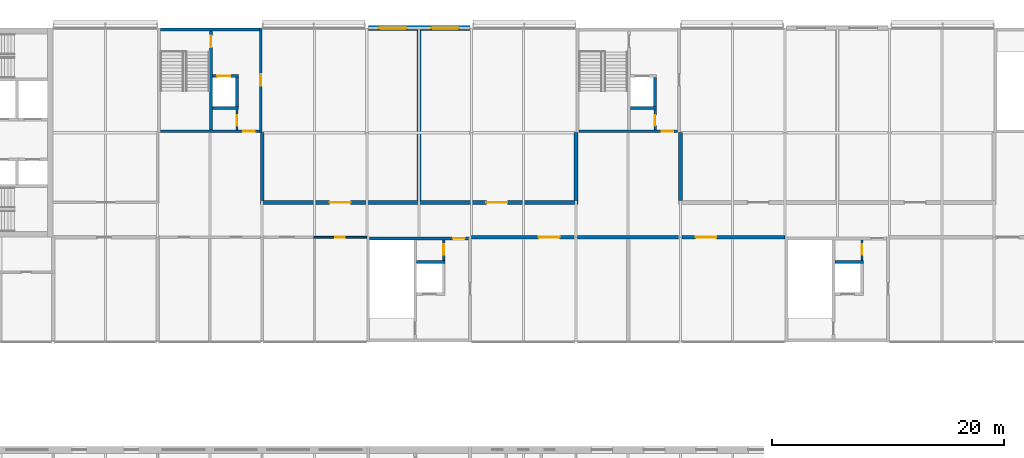
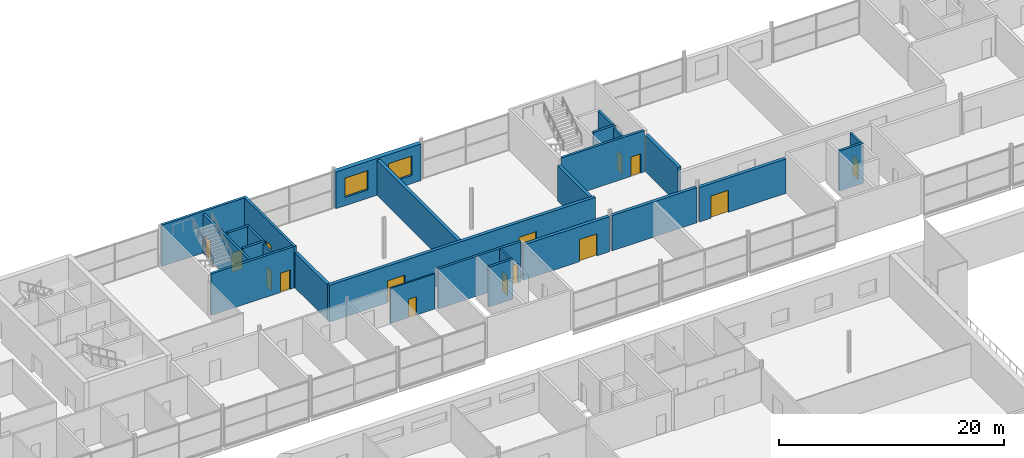
# One storey, part 124 of 138: 27 walls, 15 doors, 2 windows, 17 openings.
"""IFC4 building model written with IfcOpenShell, lengths in metres."""

from ifc_helpers import new_model, si_unit, direction, frame, frame_2d, origin, place, context, subcontext, project, spatial, rectangle, extrude, material, layer, layer_set, type_object, element, fill, save


model = new_model("IFC4")

# Units and contexts
model_context = context("Model", 3, precision=1e-05, world=origin(), true_north=direction((0.0, 1.0)))
body_context = subcontext(model_context, "Body", "Model", "MODEL_VIEW")
ifc_project = project(units=[si_unit("LENGTHUNIT", "METRE"), si_unit("AREAUNIT", "SQUARE_METRE"), si_unit("VOLUMEUNIT", "CUBIC_METRE"), si_unit("PLANEANGLEUNIT", "RADIAN"), si_unit("MASSUNIT", "GRAM", prefix="KILO")], contexts=[model_context])

# Site, building, storey
site_placement = place(None, origin())
site = spatial("IfcSite", under=ifc_project, at=site_placement, CompositionType="ELEMENT")
building_placement = place(site_placement, origin())
building = spatial("IfcBuilding", under=site, at=building_placement, Name="Corbel Yard City Hall", CompositionType="ELEMENT")
storey_placement = place(building_placement, frame((0.0, 0.0, 10.5)))
storey = spatial("IfcBuildingStorey", under=building, at=storey_placement, Name="L02", CompositionType="ELEMENT", Elevation=10.5)

# Wall, opening, door
ifc_material_1 = material(Name="Concrete N50 (50 MPa)", Category="concrete")
ifc_layer_1 = layer(ifc_material_1, 0.25)
ifc_layer_set_1 = layer_set([ifc_layer_1], Name="Concrete N50 (50 MPa)")
wall_type_1 = type_object("IfcWallType", Name="Core cell wall 250", PredefinedType="SHEAR", material=ifc_layer_set_1)
wall_1_placement = place(storey_placement, frame((71.875, 108.0, 0.0), z_axis=(0.0, 0.0, 1.0), x_axis=(0.0, 1.0, 0.0)))
wall_1 = element("IfcWall", 1, at=wall_1_placement, inside=storey, type_object=wall_type_1, Name="Core PC-N1 east wall", PredefinedType="SHEAR", context=body_context, shape_type="SweptSolid", body=[
    extrude(rectangle(XDim=9.0, YDim=0.25, at=frame_2d((4.5, 0.0))), origin(), (0.0, 0.0, 1.0), 4.5),
])
opening_1_placement = place(wall_1_placement, frame((4.050048828125, 0.0, 0.0)))
opening_1 = element("IfcOpeningElement", 2, at=opening_1_placement, cuts=wall_1, Name="Opening L02-140", PredefinedType="OPENING", context=body_context, shape_type="SweptSolid", body=[
    extrude(rectangle(XDim=1.0, YDim=2.10009765625, at=frame_2d((0.5, 1.050048828125))), frame((0.0, 0.135009765625, 0.0), z_axis=(0.0, -1.0, 0.0), x_axis=(1.0, 0.0, 0.0)), (0.0, 0.0, 1.0), 0.27001953125),
])
ifc_material_2 = material(Name="Steel Grade G250", Category="steel")
door_type_1 = type_object("IfcDoorType", Name="FS1", OperationType="SINGLE_SWING_LEFT", PredefinedType="DOOR", material=ifc_material_2)
door_1_placement = place(opening_1_placement, frame((1.0, 0.0, 0.0), z_axis=(0.0, 0.0, 1.0), x_axis=(-1.0, 0.0, 0.0)))
door_1 = element("IfcDoor", 3, at=door_1_placement, inside=storey, type_object=door_type_1, Name="Door Lift Lobby", OperationType="SINGLE_SWING_LEFT", OverallHeight=2.10009765625, OverallWidth=1.0, PredefinedType="DOOR", context=body_context, shape_type="SweptSolid", body=[
    extrude(rectangle(XDim=1.0, YDim=2.10009765625, at=frame_2d((0.5, 1.050048828125))), frame((0.0, 0.02490234375, 0.0), z_axis=(0.0, -1.0, 0.0), x_axis=(1.0, 0.0, 0.0)), (0.0, 0.0, 1.0), 0.050048828125),
])
fill(opening_1, door_1)

wall_2_placement = place(storey_placement, frame((63.25, 108.125, 0.0), z_axis=(0.0, 0.0, 1.0), x_axis=(1.0, 0.0, 0.0)))
wall_2 = element("IfcWall", 4, at=wall_2_placement, inside=storey, type_object=wall_type_1, Name="Core PC-N1 south wall", PredefinedType="SHEAR", context=body_context, shape_type="SweptSolid", body=[
    extrude(rectangle(XDim=8.5, YDim=0.25, at=frame_2d((4.25, 0.0))), origin(), (0.0, 0.0, 1.0), 4.5),
])
opening_2_placement = place(wall_2_placement, frame((7.125, 0.0, 0.0)))
opening_2 = element("IfcOpeningElement", 5, at=opening_2_placement, cuts=wall_2, Name="Opening L02-139", PredefinedType="OPENING", context=body_context, shape_type="SweptSolid", body=[
    extrude(rectangle(XDim=1.0, YDim=2.10009765625, at=frame_2d((0.5, 1.050048828125))), frame((0.0, 0.135009765625, 0.0), z_axis=(0.0, -1.0, 0.0), x_axis=(1.0, 0.0, 0.0)), (0.0, 0.0, 1.0), 0.27001953125),
])
door_2_placement = place(opening_2_placement, origin())
door_2 = element("IfcDoor", 6, at=door_2_placement, inside=storey, type_object=door_type_1, Name="Door Lift Lobby", OperationType="SINGLE_SWING_RIGHT", OverallHeight=2.10009765625, OverallWidth=1.0, PredefinedType="DOOR", context=body_context, shape_type="SweptSolid", body=[
    extrude(rectangle(XDim=1.0, YDim=2.10009765625, at=frame_2d((0.5, 1.050048828125))), frame((0.0, 0.02490234375, 0.0), z_axis=(0.0, -1.0, 0.0), x_axis=(1.0, 0.0, 0.0)), (0.0, 0.0, 1.0), 0.050048828125),
])
fill(opening_2, door_2)

# Wall
wall_3_placement = place(storey_placement, frame((63.25, 116.875, 0.0), z_axis=(0.0, 0.0, 1.0), x_axis=(1.0, 0.0, 0.0)))
element("IfcWall", 7, at=wall_3_placement, inside=storey, type_object=wall_type_1, Name="Core PC-N1 north wall", PredefinedType="SHEAR", context=body_context, shape_type="SweptSolid", body=[
    extrude(rectangle(XDim=8.5, YDim=0.25, at=frame_2d((4.25, 0.0))), origin(), (0.0, 0.0, 1.0), 4.5),
])

# Wall, opening, door
wall_4_placement = place(storey_placement, frame((99.25, 108.125, 0.0), z_axis=(0.0, 0.0, 1.0), x_axis=(1.0, 0.0, 0.0)))
wall_4 = element("IfcWall", 8, at=wall_4_placement, inside=storey, type_object=wall_type_1, Name="Core PC-N2 south wall", PredefinedType="SHEAR", context=body_context, shape_type="SweptSolid", body=[
    extrude(rectangle(XDim=8.5, YDim=0.25, at=frame_2d((4.25, 0.0))), origin(), (0.0, 0.0, 1.0), 4.5),
])
opening_3_placement = place(wall_4_placement, frame((7.125, 0.0, 0.0)))
opening_3 = element("IfcOpeningElement", 9, at=opening_3_placement, cuts=wall_4, Name="Opening L02-141", PredefinedType="OPENING", context=body_context, shape_type="SweptSolid", body=[
    extrude(rectangle(XDim=1.0, YDim=2.10009765625, at=frame_2d((0.5, 1.050048828125))), frame((0.0, 0.135009765625, 0.0), z_axis=(0.0, -1.0, 0.0), x_axis=(1.0, 0.0, 0.0)), (0.0, 0.0, 1.0), 0.27001953125),
])
door_3_placement = place(opening_3_placement, origin())
door_3 = element("IfcDoor", 10, at=door_3_placement, inside=storey, type_object=door_type_1, Name="Door Lift Lobby", OperationType="SINGLE_SWING_RIGHT", OverallHeight=2.10009765625, OverallWidth=1.0, PredefinedType="DOOR", context=body_context, shape_type="SweptSolid", body=[
    extrude(rectangle(XDim=1.0, YDim=2.10009765625, at=frame_2d((0.5, 1.050048828125))), frame((0.0, 0.02490234375, 0.0), z_axis=(0.0, -1.0, 0.0), x_axis=(1.0, 0.0, 0.0)), (0.0, 0.0, 1.0), 0.050048828125),
])
fill(opening_3, door_3)

wall_5_placement = place(storey_placement, frame((81.25, 98.875, 0.0), z_axis=(0.0, 0.0, 1.0), x_axis=(1.0, 0.0, 0.0)))
wall_5 = element("IfcWall", 11, at=wall_5_placement, inside=storey, type_object=wall_type_1, Name="Core PC-N5 north wall", PredefinedType="SHEAR", context=body_context, shape_type="SweptSolid", body=[
    extrude(rectangle(XDim=8.5, YDim=0.25, at=frame_2d((4.25, 0.0))), origin(), (0.0, 0.0, 1.0), 4.35009765625),
])
opening_4_placement = place(wall_5_placement, frame((7.175048828125, 0.0, 0.0)))
opening_4 = element("IfcOpeningElement", 12, at=opening_4_placement, cuts=wall_5, Name="Opening L02-147", PredefinedType="OPENING", context=body_context, shape_type="SweptSolid", body=[
    extrude(rectangle(XDim=1.0, YDim=2.10009765625, at=frame_2d((0.5, 1.050048828125))), frame((0.0, 0.135009765625, 0.0), z_axis=(0.0, -1.0, 0.0), x_axis=(1.0, 0.0, 0.0)), (0.0, 0.0, 1.0), 0.27001953125),
])
door_4_placement = place(opening_4_placement, frame((1.0, 0.0, 0.0), z_axis=(0.0, 0.0, 1.0), x_axis=(-1.0, 0.0, 0.0)))
door_4 = element("IfcDoor", 13, at=door_4_placement, inside=storey, type_object=door_type_1, Name="Door Lift Lobby", OperationType="SINGLE_SWING_LEFT", OverallHeight=2.10009765625, OverallWidth=1.0, PredefinedType="DOOR", context=body_context, shape_type="SweptSolid", body=[
    extrude(rectangle(XDim=1.0, YDim=2.10009765625, at=frame_2d((0.5, 1.050048828125))), frame((0.0, 0.02490234375, 0.0), z_axis=(0.0, -1.0, 0.0), x_axis=(1.0, 0.0, 0.0)), (0.0, 0.0, 1.0), 0.050048828125),
])
fill(opening_4, door_4)

# Wall, openings, windows
ifc_material_3 = material(Name="Sandstone cladding", Category="masonry")
ifc_layer_2 = layer(ifc_material_3, 0.06005859375)
ifc_material_4 = material(Name="Air cavity", Category="air")
ifc_layer_3 = layer(ifc_material_4, 0.0400390625)
ifc_material_5 = material(Name="Concrete N40 (40 MPa)", Category="concrete")
ifc_layer_4 = layer(ifc_material_5, 0.25)
ifc_material_6 = material(Name="Mineral wool", Category="insulation")
ifc_layer_5 = layer(ifc_material_6, 0.10009765625)
ifc_layer_set_2 = layer_set([ifc_layer_2, ifc_layer_3, ifc_layer_4, ifc_layer_5], Name="Concrete N40 (40 MPa)")
wall_type_2 = type_object("IfcWallType", Name="EW2", PredefinedType="SOLIDWALL", material=ifc_layer_set_2)
wall_6_placement = place(storey_placement, frame((81.126953125, 117.0, 0.0), z_axis=(0.0, 0.0, 1.0), x_axis=(1.0, 0.0, 0.0)))
wall_6 = element("IfcWall", 14, at=wall_6_placement, inside=storey, type_object=wall_type_2, Name="Entrance pier wall", PredefinedType="SOLIDWALL", context=body_context, shape_type="SweptSolid", body=[
    extrude(rectangle(XDim=8.74609375, YDim=0.449951171875, at=frame_2d((4.373046875, 0.0))), origin(), (0.0, 0.0, 1.0), 3.990966796875),
])
opening_5_placement = place(wall_6_placement, frame((0.923095703125, 0.0, 0.89990234375)))
opening_5 = element("IfcOpeningElement", 15, at=opening_5_placement, cuts=wall_6, Name="Opening WN8", PredefinedType="OPENING", context=body_context, shape_type="SweptSolid", body=[
    extrude(rectangle(XDim=2.39990234375, YDim=2.10009765625, at=frame_2d((1.199951171875, 1.050048828125))), frame((0.0, 0.23486328125, 0.0), z_axis=(0.0, -1.0, 0.0), x_axis=(1.0, 0.0, 0.0)), (0.0, 0.0, 1.0), 0.469970703125),
])
opening_6_placement = place(wall_6_placement, frame((5.423095703125, 0.0, 0.89990234375)))
opening_6 = element("IfcOpeningElement", 16, at=opening_6_placement, cuts=wall_6, Name="Opening WN8", PredefinedType="OPENING", context=body_context, shape_type="SweptSolid", body=[
    extrude(rectangle(XDim=2.39990234375, YDim=2.10009765625, at=frame_2d((1.199951171875, 1.050048828125))), frame((0.0, 0.23486328125, 0.0), z_axis=(0.0, -1.0, 0.0), x_axis=(1.0, 0.0, 0.0)), (0.0, 0.0, 1.0), 0.469970703125),
])
ifc_material_7 = material(Name="Aluminium frame, double glazed low-e glass", Category="aluminium")
window_type = type_object("IfcWindowType", Name="WN8", PartitioningType="SINGLE_PANEL", PredefinedType="WINDOW", material=ifc_material_7)
window_1_placement = place(opening_5_placement, origin())
window_1 = element("IfcWindow", 17, at=window_1_placement, inside=storey, type_object=window_type, Name="Window WN8 L02", OverallHeight=2.10009765625, OverallWidth=2.39990234375, PartitioningType="SINGLE_PANEL", PredefinedType="WINDOW", context=body_context, shape_type="SweptSolid", body=[
    extrude(rectangle(XDim=2.39990234375, YDim=2.10009765625, at=frame_2d((1.199951171875, 1.050048828125))), frame((0.0, 0.030029296875, 0.0), z_axis=(0.0, -1.0, 0.0), x_axis=(1.0, 0.0, 0.0)), (0.0, 0.0, 1.0), 0.06005859375),
])
fill(opening_5, window_1)
window_2_placement = place(opening_6_placement, origin())
window_2 = element("IfcWindow", 18, at=window_2_placement, inside=storey, type_object=window_type, Name="Window WN8 L02", OverallHeight=2.10009765625, OverallWidth=2.39990234375, PartitioningType="SINGLE_PANEL", PredefinedType="WINDOW", context=body_context, shape_type="SweptSolid", body=[
    extrude(rectangle(XDim=2.39990234375, YDim=2.10009765625, at=frame_2d((1.199951171875, 1.050048828125))), frame((0.0, 0.030029296875, 0.0), z_axis=(0.0, -1.0, 0.0), x_axis=(1.0, 0.0, 0.0)), (0.0, 0.0, 1.0), 0.06005859375),
])
fill(opening_6, window_2)

# Wall, opening, door
ifc_layer_6 = layer(ifc_material_5, 0.25)
ifc_layer_set_3 = layer_set([ifc_layer_6], Name="Concrete N40 (40 MPa)")
wall_type_3 = type_object("IfcWallType", Name="IW2", PredefinedType="SOLIDWALL", material=ifc_layer_set_3)
wall_7_placement = place(storey_placement, frame((67.574951171875, 116.75, 0.0), z_axis=(0.0, 0.0, 1.0), x_axis=(0.0, -1.0, 0.0)))
wall_7 = element("IfcWall", 19, at=wall_7_placement, inside=storey, type_object=wall_type_3, Name="Stair enclosure wall", PredefinedType="SOLIDWALL", context=body_context, shape_type="SweptSolid", body=[
    extrude(rectangle(XDim=8.5, YDim=0.25, at=frame_2d((4.25, 0.0))), origin(), (0.0, 0.0, 1.0), 4.25),
])
opening_7_placement = place(wall_7_placement, frame((0.39990234375, 0.0, 0.0)))
opening_7 = element("IfcOpeningElement", 20, at=opening_7_placement, cuts=wall_7, Name="Opening L02-127", PredefinedType="OPENING", context=body_context, shape_type="SweptSolid", body=[
    extrude(rectangle(XDim=1.0, YDim=2.10009765625, at=frame_2d((0.5, 1.050048828125))), frame((0.0, 0.135009765625, 0.0), z_axis=(0.0, -1.0, 0.0), x_axis=(1.0, 0.0, 0.0)), (0.0, 0.0, 1.0), 0.27001953125),
])
door_5_placement = place(opening_7_placement, frame((1.0, 0.0, 0.0), z_axis=(0.0, 0.0, 1.0), x_axis=(-1.0, 0.0, 0.0)))
door_5 = element("IfcDoor", 21, at=door_5_placement, inside=storey, type_object=door_type_1, Name="Door Exit Stair 16", OperationType="SINGLE_SWING_RIGHT", OverallHeight=2.10009765625, OverallWidth=1.0, PredefinedType="DOOR", context=body_context, shape_type="SweptSolid", body=[
    extrude(rectangle(XDim=1.0, YDim=2.10009765625, at=frame_2d((0.5, 1.050048828125))), frame((0.0, 0.02490234375, 0.0), z_axis=(0.0, -1.0, 0.0), x_axis=(1.0, 0.0, 0.0)), (0.0, 0.0, 1.0), 0.050048828125),
])
fill(opening_7, door_5)

# Wall
wall_8_placement = place(storey_placement, frame((67.699951171875, 110.125, 0.0), z_axis=(0.0, 0.0, 1.0), x_axis=(1.0, 0.0, 0.0)))
element("IfcWall", 22, at=wall_8_placement, inside=storey, type_object=wall_type_3, Name="Lift LP16 shaft wall", PredefinedType="SOLIDWALL", context=body_context, shape_type="SweptSolid", body=[
    extrude(rectangle(XDim=2.25, YDim=0.25, at=frame_2d((1.125, 0.0))), origin(), (0.0, 0.0, 1.0), 4.5),
])

# Wall, opening, door
wall_9_placement = place(storey_placement, frame((67.699951171875, 112.875, 0.0), z_axis=(0.0, 0.0, 1.0), x_axis=(1.0, 0.0, 0.0)))
wall_9 = element("IfcWall", 23, at=wall_9_placement, inside=storey, type_object=wall_type_3, Name="Lift LP16 shaft wall", PredefinedType="SOLIDWALL", context=body_context, shape_type="SweptSolid", body=[
    extrude(rectangle(XDim=2.25, YDim=0.25, at=frame_2d((1.125, 0.0))), origin(), (0.0, 0.0, 1.0), 4.5),
])
opening_8_placement = place(wall_9_placement, frame((0.449951171875, 0.0, 0.0)))
opening_8 = element("IfcOpeningElement", 24, at=opening_8_placement, cuts=wall_9, Name="Opening L02-121", PredefinedType="OPENING", context=body_context, shape_type="SweptSolid", body=[
    extrude(rectangle(XDim=1.10009765625, YDim=2.10009765625, at=frame_2d((0.550048828125, 1.050048828125))), frame((0.0, 0.135009765625, 0.0), z_axis=(0.0, -1.0, 0.0), x_axis=(1.0, 0.0, 0.0)), (0.0, 0.0, 1.0), 0.27001953125),
])
ifc_material_8 = material(Name="Stainless steel Grade 316", Category="steel")
door_type_2 = type_object("IfcDoorType", Name="LD1", OperationType="DOUBLE_DOOR_SLIDING", PredefinedType="DOOR", material=ifc_material_8)
door_6_placement = place(opening_8_placement, origin())
door_6 = element("IfcDoor", 25, at=door_6_placement, inside=storey, type_object=door_type_2, Name="Lift LP16 landing door", OperationType="DOUBLE_DOOR_SLIDING", OverallHeight=2.10009765625, OverallWidth=1.10009765625, PredefinedType="DOOR", context=body_context, shape_type="SweptSolid", body=[
    extrude(rectangle(XDim=1.10009765625, YDim=2.10009765625, at=frame_2d((0.550048828125, 1.050048828125))), frame((0.0, 0.02490234375, 0.0), z_axis=(0.0, -1.0, 0.0), x_axis=(1.0, 0.0, 0.0)), (0.0, 0.0, 1.0), 0.050048828125),
])
fill(opening_8, door_6)

# Walls
wall_10_placement = place(storey_placement, frame((69.824951171875, 110.25, 0.0), z_axis=(0.0, 0.0, 1.0), x_axis=(0.0, 1.0, 0.0)))
element("IfcWall", 26, at=wall_10_placement, inside=storey, type_object=wall_type_3, Name="Lift LP16 shaft wall", PredefinedType="SOLIDWALL", context=body_context, shape_type="SweptSolid", body=[
    extrude(rectangle(XDim=2.5, YDim=0.25, at=frame_2d((1.25, 0.0))), origin(), (0.0, 0.0, 1.0), 4.5),
])
wall_11_placement = place(storey_placement, frame((103.699951171875, 110.125, 0.0), z_axis=(0.0, 0.0, 1.0), x_axis=(1.0, 0.0, 0.0)))
element("IfcWall", 27, at=wall_11_placement, inside=storey, type_object=wall_type_3, Name="Lift LP17 shaft wall", PredefinedType="SOLIDWALL", context=body_context, shape_type="SweptSolid", body=[
    extrude(rectangle(XDim=2.25, YDim=0.25, at=frame_2d((1.125, 0.0))), origin(), (0.0, 0.0, 1.0), 4.5),
])
wall_12_placement = place(storey_placement, frame((105.824951171875, 110.25, 0.0), z_axis=(0.0, 0.0, 1.0), x_axis=(0.0, 1.0, 0.0)))
element("IfcWall", 28, at=wall_12_placement, inside=storey, type_object=wall_type_3, Name="Lift LP17 shaft wall", PredefinedType="SOLIDWALL", context=body_context, shape_type="SweptSolid", body=[
    extrude(rectangle(XDim=2.5, YDim=0.25, at=frame_2d((1.25, 0.0))), origin(), (0.0, 0.0, 1.0), 4.5),
])
for number, where, z_axis, x_axis, name in (
    (29, (85.300048828125, 96.875, 0.0), (0.0, 0.0, 1.0), (1.0, 0.0, 0.0), "Lift LP20 shaft wall"),
    (30, (121.300048828125, 96.875, 0.0), (0.0, 0.0, 1.0), (1.0, 0.0, 0.0), "Lift LP21 shaft wall"),
):
    element("IfcWall", number, at=place(storey_placement, frame(where, z_axis=z_axis, x_axis=x_axis)), inside=storey, type_object=wall_type_3, Name=name, PredefinedType="SOLIDWALL", context=body_context, shape_type="SweptSolid", body=[
        extrude(rectangle(XDim=2.449951171875, YDim=0.25, at=frame_2d((1.22509765625, 0.0))), origin(), (0.0, 0.0, 1.0), 4.35009765625),
    ])

# Wall, opening, door
ifc_material_9 = material(Name="Gypsum plasterboard", Category="gypsum")
ifc_layer_7 = layer(ifc_material_9, 0.031982421875)
ifc_material_10 = material(Name="Steel Grade G550 (550 MPa yield)", Category="steel")
ifc_layer_8 = layer(ifc_material_10, 0.260986328125)
ifc_layer_9 = layer(ifc_material_9, 0.031982421875)
ifc_layer_set_4 = layer_set([ifc_layer_7, ifc_layer_8, ifc_layer_9], Name="Steel Grade G550 (550 MPa yield)")
wall_type_4 = type_object("IfcWallType", Name="PT20", PredefinedType="PARTITIONING", material=ifc_layer_set_4)
wall_13_placement = place(storey_placement, frame((90.0, 99.0, 0.0), z_axis=(0.0, 0.0, 1.0), x_axis=(1.0, 0.0, 0.0)))
wall_13 = element("IfcWall", 31, at=wall_13_placement, inside=storey, type_object=wall_type_4, Name="Acoustic partition", PredefinedType="PARTITIONING", context=body_context, shape_type="SweptSolid", body=[
    extrude(rectangle(XDim=8.8701171875, YDim=0.324951171875, at=frame_2d((4.43505859375, 0.0))), origin(), (0.0, 0.0, 1.0), 3.822021484375),
])
opening_9_placement = place(wall_13_placement, frame((5.800048828125, 0.0, 0.0)))
opening_9 = element("IfcOpeningElement", 32, at=opening_9_placement, cuts=wall_13, Name="Opening L02-166", PredefinedType="OPENING", context=body_context, shape_type="SweptSolid", body=[
    extrude(rectangle(XDim=1.800048828125, YDim=2.39990234375, at=frame_2d((0.89990234375, 1.199951171875))), frame((0.0, 0.17236328125, 0.0), z_axis=(0.0, -1.0, 0.0), x_axis=(1.0, 0.0, 0.0)), (0.0, 0.0, 1.0), 0.344970703125),
])
ifc_material_11 = material(Name="Timber", Category="wood")
door_type_3 = type_object("IfcDoorType", Name="D38", OperationType="DOUBLE_DOOR_SINGLE_SWING", PredefinedType="DOOR", material=ifc_material_11)
door_7_placement = place(opening_9_placement, origin())
door_7 = element("IfcDoor", 33, at=door_7_placement, inside=storey, type_object=door_type_3, Name="Door Committee Room 19", OperationType="DOUBLE_DOOR_SINGLE_SWING", OverallHeight=2.39990234375, OverallWidth=1.800048828125, PredefinedType="DOOR", context=body_context, shape_type="SweptSolid", body=[
    extrude(rectangle(XDim=1.800048828125, YDim=2.39990234375, at=frame_2d((0.89990234375, 1.199951171875))), frame((0.0, 0.02490234375, 0.0), z_axis=(0.0, -1.0, 0.0), x_axis=(1.0, 0.0, 0.0)), (0.0, 0.0, 1.0), 0.050048828125),
])
fill(opening_9, door_7)

# Wall
wall_14_placement = place(storey_placement, frame((99.1298828125, 99.0, 0.0), z_axis=(0.0, 0.0, 1.0), x_axis=(1.0, 0.0, 0.0)))
element("IfcWall", 34, at=wall_14_placement, inside=storey, type_object=wall_type_4, Name="Acoustic partition", PredefinedType="PARTITIONING", context=body_context, shape_type="SweptSolid", body=[
    extrude(rectangle(XDim=8.740234375, YDim=0.324951171875, at=frame_2d((4.3701171875, 0.0))), origin(), (0.0, 0.0, 1.0), 3.822021484375),
])

# Wall, opening, door
wall_15_placement = place(storey_placement, frame((108.1298828125, 99.0, 0.0), z_axis=(0.0, 0.0, 1.0), x_axis=(1.0, 0.0, 0.0)))
wall_15 = element("IfcWall", 35, at=wall_15_placement, inside=storey, type_object=wall_type_4, Name="Acoustic partition", PredefinedType="PARTITIONING", context=body_context, shape_type="SweptSolid", body=[
    extrude(rectangle(XDim=8.8701171875, YDim=0.324951171875, at=frame_2d((4.43505859375, 0.0))), origin(), (0.0, 0.0, 1.0), 3.738037109375),
])
opening_10_placement = place(wall_15_placement, frame((1.169921875, 0.0, 0.0)))
opening_10 = element("IfcOpeningElement", 36, at=opening_10_placement, cuts=wall_15, Name="Opening L02-167", PredefinedType="OPENING", context=body_context, shape_type="SweptSolid", body=[
    extrude(rectangle(XDim=1.800048828125, YDim=2.39990234375, at=frame_2d((0.89990234375, 1.199951171875))), frame((0.0, 0.17236328125, 0.0), z_axis=(0.0, -1.0, 0.0), x_axis=(1.0, 0.0, 0.0)), (0.0, 0.0, 1.0), 0.344970703125),
])
door_8_placement = place(opening_10_placement, origin())
door_8 = element("IfcDoor", 37, at=door_8_placement, inside=storey, type_object=door_type_3, Name="Door Committee Room 20", OperationType="DOUBLE_DOOR_SINGLE_SWING", OverallHeight=2.39990234375, OverallWidth=1.800048828125, PredefinedType="DOOR", context=body_context, shape_type="SweptSolid", body=[
    extrude(rectangle(XDim=1.800048828125, YDim=2.39990234375, at=frame_2d((0.89990234375, 1.199951171875))), frame((0.0, 0.02490234375, 0.0), z_axis=(0.0, -1.0, 0.0), x_axis=(1.0, 0.0, 0.0)), (0.0, 0.0, 1.0), 0.050048828125),
])
fill(opening_10, door_8)

# Wall, openings, doors
wall_16_placement = place(storey_placement, frame((71.83740234375, 102.0, 0.0), z_axis=(0.0, 0.0, 1.0), x_axis=(1.0, 0.0, 0.0)))
wall_16 = element("IfcWall", 38, at=wall_16_placement, inside=storey, type_object=wall_type_4, Name="Acoustic partition", PredefinedType="PARTITIONING", context=body_context, shape_type="SweptSolid", body=[
    extrude(rectangle(XDim=27.3251953125, YDim=0.324951171875, at=frame_2d((13.66259765625, 0.0))), origin(), (0.0, 0.0, 1.0), 3.998046875),
])
opening_11_placement = place(wall_16_placement, frame((5.96240234375, 0.0, 0.0)))
opening_11 = element("IfcOpeningElement", 39, at=opening_11_placement, cuts=wall_16, Name="Opening L02-173", PredefinedType="OPENING", context=body_context, shape_type="SweptSolid", body=[
    extrude(rectangle(XDim=1.800048828125, YDim=2.39990234375, at=frame_2d((0.89990234375, 1.199951171875))), frame((0.0, 0.17236328125, 0.0), z_axis=(0.0, -1.0, 0.0), x_axis=(1.0, 0.0, 0.0)), (0.0, 0.0, 1.0), 0.344970703125),
])
opening_12_placement = place(wall_16_placement, frame((19.46240234375, 0.0, 0.0)))
opening_12 = element("IfcOpeningElement", 40, at=opening_12_placement, cuts=wall_16, Name="Opening L02-174", PredefinedType="OPENING", context=body_context, shape_type="SweptSolid", body=[
    extrude(rectangle(XDim=1.800048828125, YDim=2.39990234375, at=frame_2d((0.89990234375, 1.199951171875))), frame((0.0, 0.17236328125, 0.0), z_axis=(0.0, -1.0, 0.0), x_axis=(1.0, 0.0, 0.0)), (0.0, 0.0, 1.0), 0.344970703125),
])
door_9_placement = place(opening_11_placement, origin())
door_9 = element("IfcDoor", 41, at=door_9_placement, inside=storey, type_object=door_type_3, Name="Door Committee Room 23", OperationType="DOUBLE_DOOR_SINGLE_SWING", OverallHeight=2.39990234375, OverallWidth=1.800048828125, PredefinedType="DOOR", context=body_context, shape_type="SweptSolid", body=[
    extrude(rectangle(XDim=1.800048828125, YDim=2.39990234375, at=frame_2d((0.89990234375, 1.199951171875))), frame((0.0, 0.02490234375, 0.0), z_axis=(0.0, -1.0, 0.0), x_axis=(1.0, 0.0, 0.0)), (0.0, 0.0, 1.0), 0.050048828125),
])
fill(opening_11, door_9)
door_10_placement = place(opening_12_placement, origin())
door_10 = element("IfcDoor", 42, at=door_10_placement, inside=storey, type_object=door_type_3, Name="Door Committee Room 24", OperationType="DOUBLE_DOOR_SINGLE_SWING", OverallHeight=2.39990234375, OverallWidth=1.800048828125, PredefinedType="DOOR", context=body_context, shape_type="SweptSolid", body=[
    extrude(rectangle(XDim=1.800048828125, YDim=2.39990234375, at=frame_2d((0.89990234375, 1.199951171875))), frame((0.0, 0.02490234375, 0.0), z_axis=(0.0, -1.0, 0.0), x_axis=(1.0, 0.0, 0.0)), (0.0, 0.0, 1.0), 0.050048828125),
])
fill(opening_12, door_10)

# Walls
wall_17_placement = place(storey_placement, frame((72.0, 102.16259765625, 0.0), z_axis=(0.0, 0.0, 1.0), x_axis=(0.0, 1.0, 0.0)))
element("IfcWall", 43, at=wall_17_placement, inside=storey, type_object=wall_type_4, Name="Acoustic partition", PredefinedType="PARTITIONING", context=body_context, shape_type="SweptSolid", body=[
    extrude(rectangle(XDim=5.83740234375, YDim=0.324951171875, at=frame_2d((2.918701171875, 0.0))), origin(), (0.0, 0.0, 1.0), 3.822021484375),
])
wall_18_placement = place(storey_placement, frame((85.5, 102.16259765625, 0.0), z_axis=(0.0, 0.0, 1.0), x_axis=(0.0, 1.0, 0.0)))
element("IfcWall", 44, at=wall_18_placement, inside=storey, type_object=wall_type_4, Name="Acoustic partition", PredefinedType="PARTITIONING", context=body_context, shape_type="SweptSolid", body=[
    extrude(rectangle(XDim=14.6123046875, YDim=0.324951171875, at=frame_2d((7.30615234375, 0.0))), origin(), (0.0, 0.0, 1.0), 3.822021484375),
])
wall_19_placement = place(storey_placement, frame((99.0, 102.16259765625, 0.0), z_axis=(0.0, 0.0, 1.0), x_axis=(0.0, 1.0, 0.0)))
element("IfcWall", 45, at=wall_19_placement, inside=storey, type_object=wall_type_4, Name="Acoustic partition", PredefinedType="PARTITIONING", context=body_context, shape_type="SweptSolid", body=[
    extrude(rectangle(XDim=5.83740234375, YDim=0.324951171875, at=frame_2d((2.918701171875, 0.0))), origin(), (0.0, 0.0, 1.0), 3.822021484375),
])
wall_20_placement = place(storey_placement, frame((108.0, 102.16259765625, 0.0), z_axis=(0.0, 0.0, 1.0), x_axis=(0.0, 1.0, 0.0)))
element("IfcWall", 46, at=wall_20_placement, inside=storey, type_object=wall_type_4, Name="Acoustic partition", PredefinedType="PARTITIONING", context=body_context, shape_type="SweptSolid", body=[
    extrude(rectangle(XDim=5.83740234375, YDim=0.324951171875, at=frame_2d((2.918701171875, 0.0))), origin(), (0.0, 0.0, 1.0), 3.998046875),
])

# Wall, opening, door
ifc_layer_10 = layer(ifc_material_9, 0.031982421875)
ifc_layer_11 = layer(ifc_material_10, 0.095947265625)
ifc_layer_12 = layer(ifc_material_9, 0.031982421875)
ifc_layer_set_5 = layer_set([ifc_layer_10, ifc_layer_11, ifc_layer_12], Name="Steel Grade G550 (550 MPa yield)")
wall_type_5 = type_object("IfcWallType", Name="PT3", PredefinedType="PARTITIONING", material=ifc_layer_set_5)
wall_21_placement = place(storey_placement, frame((76.419921875, 99.0, 0.0), z_axis=(0.0, 0.0, 1.0), x_axis=(1.0, 0.0, 0.0)))
wall_21 = element("IfcWall", 47, at=wall_21_placement, inside=storey, type_object=wall_type_5, Name="Fire-resisting wall", PredefinedType="PARTITIONING", context=body_context, shape_type="SweptSolid", body=[
    extrude(rectangle(XDim=4.580078125, YDim=0.159912109375, at=frame_2d((2.2900390625, 0.0))), origin(), (0.0, 0.0, 1.0), 3.822021484375),
])
opening_13_placement = place(wall_21_placement, frame((1.8798828125, 0.0, 0.0)))
opening_13 = element("IfcOpeningElement", 48, at=opening_13_placement, cuts=wall_21, Name="Opening L02-165", PredefinedType="OPENING", context=body_context, shape_type="SweptSolid", body=[
    extrude(rectangle(XDim=0.800048828125, YDim=2.0, at=frame_2d((0.39990234375, 1.0))), frame((0.0, 0.08984375, 0.0), z_axis=(0.0, -1.0, 0.0), x_axis=(1.0, 0.0, 0.0)), (0.0, 0.0, 1.0), 0.179931640625),
])
door_type_4 = type_object("IfcDoorType", Name="FD31", OperationType="SINGLE_SWING_LEFT", PredefinedType="DOOR", material=ifc_material_2)
door_11_placement = place(opening_13_placement, frame((0.800048828125, 0.0, 0.0), z_axis=(0.0, 0.0, 1.0), x_axis=(-1.0, 0.0, 0.0)))
door_11 = element("IfcDoor", 49, at=door_11_placement, inside=storey, type_object=door_type_4, Name="Door Cleaners' Store and Service Room", OperationType="SINGLE_SWING_RIGHT", OverallHeight=2.0, OverallWidth=0.800048828125, PredefinedType="DOOR", context=body_context, shape_type="SweptSolid", body=[
    extrude(rectangle(XDim=0.800048828125, YDim=2.0, at=frame_2d((0.39990234375, 1.0))), frame((0.0, 0.02490234375, 0.0), z_axis=(0.0, -1.0, 0.0), x_axis=(1.0, 0.0, 0.0)), (0.0, 0.0, 1.0), 0.050048828125),
])
fill(opening_13, door_11)

ifc_material_12 = material(Name="Concrete block", Category="concrete")
ifc_layer_13 = layer(ifc_material_12, 0.18994140625)
ifc_layer_set_6 = layer_set([ifc_layer_13], Name="Concrete block")
wall_type_6 = type_object("IfcWallType", Name="PT4", PredefinedType="PARTITIONING", material=ifc_layer_set_6)
wall_22_placement = place(storey_placement, frame((69.824951171875, 108.25, 0.0), z_axis=(0.0, 0.0, 1.0), x_axis=(0.0, 1.0, 0.0)))
wall_22 = element("IfcWall", 50, at=wall_22_placement, inside=storey, type_object=wall_type_6, Name="Fire-resisting block wall", PredefinedType="PARTITIONING", context=body_context, shape_type="SweptSolid", body=[
    extrude(rectangle(XDim=1.75, YDim=0.18994140625, at=frame_2d((0.875, 0.0))), origin(), (0.0, 0.0, 1.0), 4.25),
])
opening_14_placement = place(wall_22_placement, frame((0.3525390625, 0.0, 0.0)))
opening_14 = element("IfcOpeningElement", 51, at=opening_14_placement, cuts=wall_22, Name="Opening L02-128", PredefinedType="OPENING", context=body_context, shape_type="SweptSolid", body=[
    extrude(rectangle(XDim=0.919921875, YDim=2.10009765625, at=frame_2d((0.4599609375, 1.050048828125))), frame((0.0, 0.10498046875, 0.0), z_axis=(0.0, -1.0, 0.0), x_axis=(1.0, 0.0, 0.0)), (0.0, 0.0, 1.0), 0.2099609375),
])
door_type_5 = type_object("IfcDoorType", Name="FS5", OperationType="SINGLE_SWING_RIGHT", PredefinedType="DOOR", material=ifc_material_2)
door_12_placement = place(opening_14_placement, origin())
door_12 = element("IfcDoor", 52, at=door_12_placement, inside=storey, type_object=door_type_5, Name="Door Service Riser", OperationType="SINGLE_SWING_LEFT", OverallHeight=2.10009765625, OverallWidth=0.919921875, PredefinedType="DOOR", context=body_context, shape_type="SweptSolid", body=[
    extrude(rectangle(XDim=0.919921875, YDim=2.10009765625, at=frame_2d((0.4599609375, 1.050048828125))), frame((0.0, 0.02490234375, 0.0), z_axis=(0.0, -1.0, 0.0), x_axis=(1.0, 0.0, 0.0)), (0.0, 0.0, 1.0), 0.050048828125),
])
fill(opening_14, door_12)

wall_23_placement = place(storey_placement, frame((87.625, 97.0, 0.0), z_axis=(0.0, 0.0, 1.0), x_axis=(0.0, 1.0, 0.0)))
wall_23 = element("IfcWall", 53, at=wall_23_placement, inside=storey, type_object=wall_type_6, Name="Fire-resisting block wall", PredefinedType="PARTITIONING", context=body_context, shape_type="SweptSolid", body=[
    extrude(rectangle(XDim=1.75, YDim=0.18994140625, at=frame_2d((0.875, 0.0))), origin(), (0.0, 0.0, 1.0), 4.35009765625),
])
opening_15_placement = place(wall_23_placement, frame((0.4775390625, 0.0, 0.0)))
opening_15 = element("IfcOpeningElement", 54, at=opening_15_placement, cuts=wall_23, Name="Opening L02-136", PredefinedType="OPENING", context=body_context, shape_type="SweptSolid", body=[
    extrude(rectangle(XDim=0.919921875, YDim=2.10009765625, at=frame_2d((0.4599609375, 1.050048828125))), frame((0.0, 0.10498046875, 0.0), z_axis=(0.0, -1.0, 0.0), x_axis=(1.0, 0.0, 0.0)), (0.0, 0.0, 1.0), 0.2099609375),
])
door_13_placement = place(opening_15_placement, origin())
door_13 = element("IfcDoor", 55, at=door_13_placement, inside=storey, type_object=door_type_5, Name="Door Service Riser", OperationType="SINGLE_SWING_RIGHT", OverallHeight=2.10009765625, OverallWidth=0.919921875, PredefinedType="DOOR", context=body_context, shape_type="SweptSolid", body=[
    extrude(rectangle(XDim=0.919921875, YDim=2.10009765625, at=frame_2d((0.4599609375, 1.050048828125))), frame((0.0, 0.02490234375, 0.0), z_axis=(0.0, -1.0, 0.0), x_axis=(1.0, 0.0, 0.0)), (0.0, 0.0, 1.0), 0.050048828125),
])
fill(opening_15, door_13)

wall_24_placement = place(storey_placement, frame((105.824951171875, 108.25, 0.0), z_axis=(0.0, 0.0, 1.0), x_axis=(0.0, 1.0, 0.0)))
wall_24 = element("IfcWall", 56, at=wall_24_placement, inside=storey, type_object=wall_type_6, Name="Fire-resisting block wall", PredefinedType="PARTITIONING", context=body_context, shape_type="SweptSolid", body=[
    extrude(rectangle(XDim=1.75, YDim=0.18994140625, at=frame_2d((0.875, 0.0))), origin(), (0.0, 0.0, 1.0), 4.25),
])
opening_16_placement = place(wall_24_placement, frame((0.3525390625, 0.0, 0.0)))
opening_16 = element("IfcOpeningElement", 57, at=opening_16_placement, cuts=wall_24, Name="Opening L02-130", PredefinedType="OPENING", context=body_context, shape_type="SweptSolid", body=[
    extrude(rectangle(XDim=0.919921875, YDim=2.10009765625, at=frame_2d((0.4599609375, 1.050048828125))), frame((0.0, 0.10498046875, 0.0), z_axis=(0.0, -1.0, 0.0), x_axis=(1.0, 0.0, 0.0)), (0.0, 0.0, 1.0), 0.2099609375),
])
door_14_placement = place(opening_16_placement, origin())
door_14 = element("IfcDoor", 58, at=door_14_placement, inside=storey, type_object=door_type_5, Name="Door Service Riser", OperationType="SINGLE_SWING_LEFT", OverallHeight=2.10009765625, OverallWidth=0.919921875, PredefinedType="DOOR", context=body_context, shape_type="SweptSolid", body=[
    extrude(rectangle(XDim=0.919921875, YDim=2.10009765625, at=frame_2d((0.4599609375, 1.050048828125))), frame((0.0, 0.02490234375, 0.0), z_axis=(0.0, -1.0, 0.0), x_axis=(1.0, 0.0, 0.0)), (0.0, 0.0, 1.0), 0.050048828125),
])
fill(opening_16, door_14)

wall_25_placement = place(storey_placement, frame((123.625, 97.0, 0.0), z_axis=(0.0, 0.0, 1.0), x_axis=(0.0, 1.0, 0.0)))
wall_25 = element("IfcWall", 59, at=wall_25_placement, inside=storey, type_object=wall_type_6, Name="Fire-resisting block wall", PredefinedType="PARTITIONING", context=body_context, shape_type="SweptSolid", body=[
    extrude(rectangle(XDim=1.75, YDim=0.18994140625, at=frame_2d((0.875, 0.0))), origin(), (0.0, 0.0, 1.0), 4.35009765625),
])
opening_17_placement = place(wall_25_placement, frame((0.4775390625, 0.0, 0.0)))
opening_17 = element("IfcOpeningElement", 60, at=opening_17_placement, cuts=wall_25, Name="Opening L02-138", PredefinedType="OPENING", context=body_context, shape_type="SweptSolid", body=[
    extrude(rectangle(XDim=0.919921875, YDim=2.10009765625, at=frame_2d((0.4599609375, 1.050048828125))), frame((0.0, 0.10498046875, 0.0), z_axis=(0.0, -1.0, 0.0), x_axis=(1.0, 0.0, 0.0)), (0.0, 0.0, 1.0), 0.2099609375),
])
door_15_placement = place(opening_17_placement, origin())
door_15 = element("IfcDoor", 61, at=door_15_placement, inside=storey, type_object=door_type_5, Name="Door Service Riser", OperationType="SINGLE_SWING_RIGHT", OverallHeight=2.10009765625, OverallWidth=0.919921875, PredefinedType="DOOR", context=body_context, shape_type="SweptSolid", body=[
    extrude(rectangle(XDim=0.919921875, YDim=2.10009765625, at=frame_2d((0.4599609375, 1.050048828125))), frame((0.0, 0.02490234375, 0.0), z_axis=(0.0, -1.0, 0.0), x_axis=(1.0, 0.0, 0.0)), (0.0, 0.0, 1.0), 0.050048828125),
])
fill(opening_17, door_15)

save(model, "model.ifc")
